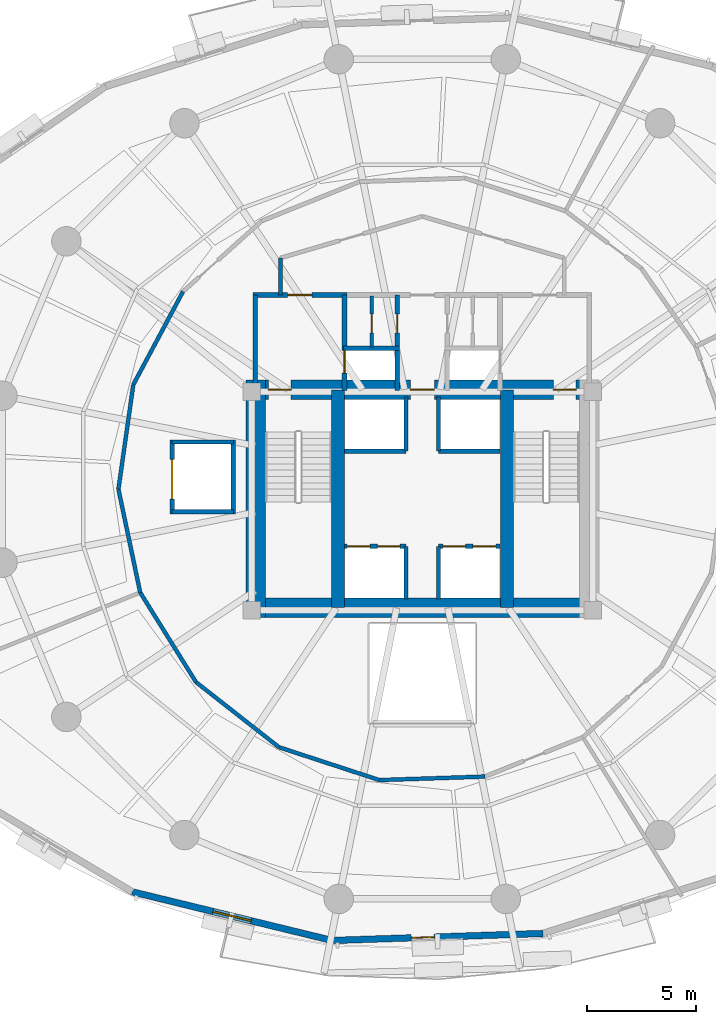
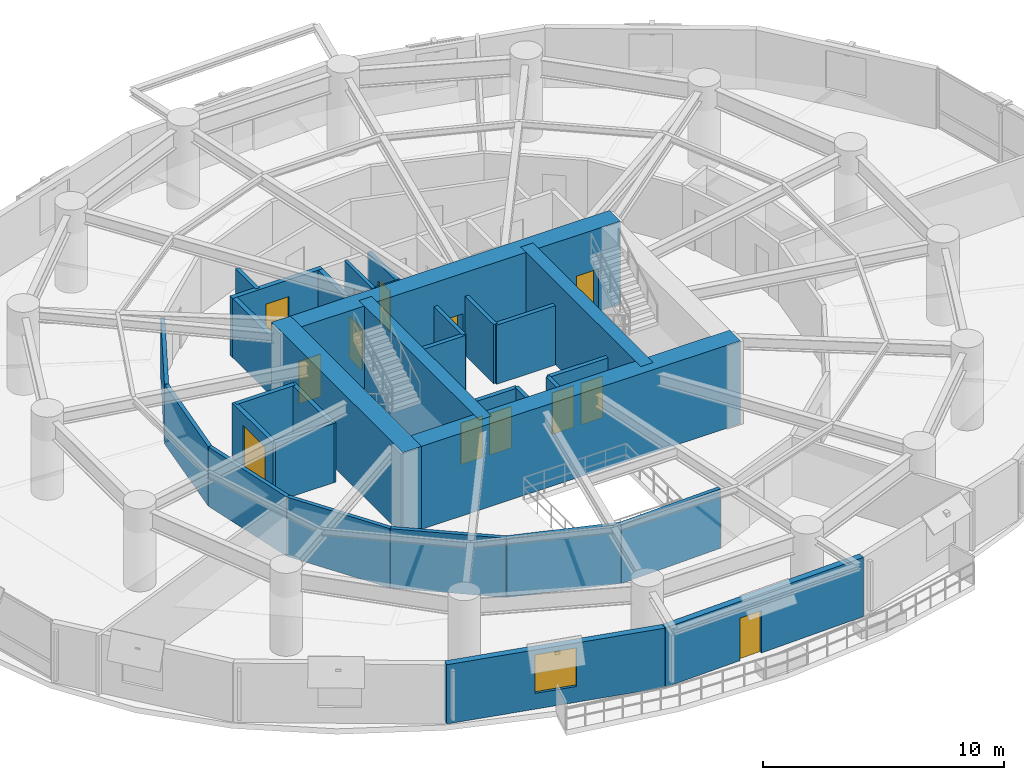
# One storey, part 10 of 15: 33 walls, 13 doors, 1 window, 14 openings.
"""IFC4 building model written with IfcOpenShell, lengths in metres."""

from ifc_helpers import new_model, si_unit, direction, frame, frame_2d, origin, place, context, subcontext, project, spatial, rectangle, extrude, material, layer, layer_set, type_object, element, fill, save


model = new_model("IFC4")

# Units and contexts
model_context = context("Model", 3, precision=1e-05, world=origin(), true_north=direction((0.0, 1.0)))
body_context = subcontext(model_context, "Body", "Model", "MODEL_VIEW")
ifc_project = project(units=[si_unit("LENGTHUNIT", "METRE"), si_unit("AREAUNIT", "SQUARE_METRE"), si_unit("VOLUMEUNIT", "CUBIC_METRE"), si_unit("PLANEANGLEUNIT", "RADIAN"), si_unit("MASSUNIT", "GRAM", prefix="KILO"), si_unit("THERMODYNAMICTEMPERATUREUNIT", "KELVIN"), si_unit("POWERUNIT", "WATT")], contexts=[model_context])

# Site, building, storey
site_placement = place(None, origin())
site = spatial("IfcSite", under=ifc_project, at=site_placement, CompositionType="ELEMENT")
building_placement = place(site_placement, origin())
building = spatial("IfcBuilding", under=site, at=building_placement, Name="Ocrelia Relay Tower", CompositionType="ELEMENT")
storey_placement = place(building_placement, frame((0.0, 0.0, 38.39990234375)))
storey = spatial("IfcBuildingStorey", under=building, at=storey_placement, Name="L08", CompositionType="ELEMENT", Elevation=38.39990234375)

# Wall
ifc_material_1 = material(Name="Concrete C70/85", Category="concrete")
ifc_layer_1 = layer(ifc_material_1, 0.89990234375, Name="Concrete C70/85")
ifc_layer_set_1 = layer_set([ifc_layer_1], Name="Concrete C70/85")
wall_type_1 = type_object("IfcWallType", Name="CW-CORE-900", PredefinedType="SHEAR", material=ifc_layer_set_1)
wall_1_placement = place(storey_placement, frame((25.922119140625, 20.112060546875, 0.0), z_axis=(0.0, 0.0, 1.0), x_axis=(1.0, 0.0, 0.0)))
element("IfcWall", 1, at=wall_1_placement, inside=storey, type_object=wall_type_1, Name="L08 Core Shear Wall S", PredefinedType="SHEAR", context=body_context, shape_type="SweptSolid", body=[
    extrude(rectangle(XDim=16.165771484375, YDim=0.89990234375, at=frame_2d((8.0830078125, 0.0))), origin(), (0.0, 0.0, 1.0), 4.2001953125),
])

# Wall, openings, doors
wall_2_placement = place(storey_placement, frame((25.922119140625, 30.087890625, 0.0), z_axis=(0.0, 0.0, 1.0), x_axis=(1.0, 0.0, 0.0)))
wall_2 = element("IfcWall", 2, at=wall_2_placement, inside=storey, type_object=wall_type_1, Name="L08 Core Shear Wall N", PredefinedType="SHEAR", context=body_context, shape_type="SweptSolid", body=[
    extrude(rectangle(XDim=16.165771484375, YDim=0.89990234375, at=frame_2d((8.0830078125, 0.0))), origin(), (0.0, 0.0, 1.0), 4.2001953125),
])
opening_1_placement = place(wall_2_placement, frame((1.028076171875, 0.0, 0.0)))
opening_1 = element("IfcOpeningElement", 3, at=opening_1_placement, cuts=wall_2, Name="Opening D-FD90", PredefinedType="OPENING", context=body_context, shape_type="SweptSolid", body=[
    extrude(rectangle(XDim=1.050048828125, YDim=2.14990234375, at=frame_2d((0.52490234375, 1.074951171875))), frame((0.0, 0.4599609375, 0.0), z_axis=(0.0, -1.0, 0.0), x_axis=(1.0, 0.0, 0.0)), (0.0, 0.0, 1.0), 0.919921875),
])
opening_2_placement = place(wall_2_placement, frame((14.077880859375, 0.0, 0.0)))
opening_2 = element("IfcOpeningElement", 4, at=opening_2_placement, cuts=wall_2, Name="Opening D-FD90", PredefinedType="OPENING", context=body_context, shape_type="SweptSolid", body=[
    extrude(rectangle(XDim=1.050048828125, YDim=2.14990234375, at=frame_2d((0.52490234375, 1.074951171875))), frame((0.0, 0.4599609375, 0.0), z_axis=(0.0, -1.0, 0.0), x_axis=(1.0, 0.0, 0.0)), (0.0, 0.0, 1.0), 0.919921875),
])
opening_3_placement = place(wall_2_placement, frame((7.528076171875, 0.0, 0.0)))
opening_3 = element("IfcOpeningElement", 5, at=opening_3_placement, cuts=wall_2, Name="Opening D-FD60", PredefinedType="OPENING", context=body_context, shape_type="SweptSolid", body=[
    extrude(rectangle(XDim=1.10009765625, YDim=2.14990234375, at=frame_2d((0.550048828125, 1.074951171875))), frame((0.0, 0.4599609375, 0.0), z_axis=(0.0, -1.0, 0.0), x_axis=(1.0, 0.0, 0.0)), (0.0, 0.0, 1.0), 0.919921875),
])
ifc_material_2 = material(Name="Timber-core 60-min acoustic fire door", Category="wood")
door_type_1 = type_object("IfcDoorType", Name="DR-LOBBY-FD60-1100", OperationType="NOTDEFINED", PredefinedType="DOOR", material=ifc_material_2)
door_1_placement = place(opening_3_placement, origin())
door_1 = element("IfcDoor", 6, at=door_1_placement, inside=storey, type_object=door_type_1, Name="L08 Core Lift Lobby North Fire Door", OperationType="SINGLE_SWING_RIGHT", OverallHeight=2.14990234375, OverallWidth=1.10009765625, PredefinedType="DOOR", context=body_context, shape_type="SweptSolid", body=[
    extrude(rectangle(XDim=1.10009765625, YDim=2.14990234375, at=frame_2d((0.550048828125, 1.074951171875))), frame((0.0, 0.02490234375, 0.0), z_axis=(0.0, -1.0, 0.0), x_axis=(1.0, 0.0, 0.0)), (0.0, 0.0, 1.0), 0.050048828125),
])
fill(opening_3, door_1)
ifc_material_3 = material(Name="Steel S355 90-min fire door", Category="steel")
door_type_2 = type_object("IfcDoorType", Name="DR-STAIR-FD90-1050", OperationType="NOTDEFINED", PredefinedType="DOOR", material=ifc_material_3)
door_2_placement = place(opening_1_placement, origin())
door_2 = element("IfcDoor", 7, at=door_2_placement, inside=storey, type_object=door_type_2, Name="L08 Stair ST1 Fire Door", OperationType="SINGLE_SWING_RIGHT", OverallHeight=2.14990234375, OverallWidth=1.050048828125, PredefinedType="DOOR", context=body_context, shape_type="SweptSolid", body=[
    extrude(rectangle(XDim=1.050048828125, YDim=2.14990234375, at=frame_2d((0.52490234375, 1.074951171875))), frame((0.0, 0.02490234375, 0.0), z_axis=(0.0, -1.0, 0.0), x_axis=(1.0, 0.0, 0.0)), (0.0, 0.0, 1.0), 0.050048828125),
])
fill(opening_1, door_2)
door_3_placement = place(opening_2_placement, origin())
door_3 = element("IfcDoor", 8, at=door_3_placement, inside=storey, type_object=door_type_2, Name="L08 Stair ST2 Fire Door", OperationType="SINGLE_SWING_LEFT", OverallHeight=2.14990234375, OverallWidth=1.050048828125, PredefinedType="DOOR", context=body_context, shape_type="SweptSolid", body=[
    extrude(rectangle(XDim=1.050048828125, YDim=2.14990234375, at=frame_2d((0.52490234375, 1.074951171875))), frame((0.0, 0.02490234375, 0.0), z_axis=(0.0, -1.0, 0.0), x_axis=(1.0, 0.0, 0.0)), (0.0, 0.0, 1.0), 0.050048828125),
])
fill(opening_2, door_3)

# Walls
wall_3_placement = place(storey_placement, frame((26.3720703125, 19.662109375, 0.0), z_axis=(0.0, 0.0, 1.0), x_axis=(0.0, 1.0, 0.0)))
element("IfcWall", 9, at=wall_3_placement, inside=storey, type_object=wall_type_1, Name="L08 Core Shear Wall W", PredefinedType="SHEAR", context=body_context, shape_type="SweptSolid", body=[
    extrude(rectangle(XDim=10.8759765625, YDim=0.89990234375, at=frame_2d((5.43798828125, 0.0))), origin(), (0.0, 0.0, 1.0), 4.2001953125),
])
for number, where, z_axis, x_axis, name in (
    (10, (30.137939453125, 20.112060546875, 0.0), (0.0, 0.0, 1.0), (0.0, 1.0, 0.0), "L08 Core Shear Wall SPW"),
    (11, (37.8720703125, 20.112060546875, 0.0), (0.0, 0.0, 1.0), (0.0, 1.0, 0.0), "L08 Core Shear Wall SPE"),
):
    element("IfcWall", number, at=place(storey_placement, frame(where, z_axis=z_axis, x_axis=x_axis)), inside=storey, type_object=wall_type_1, Name=name, PredefinedType="SHEAR", context=body_context, shape_type="SweptSolid", body=[
        extrude(rectangle(XDim=9.975830078125, YDim=0.60009765625, at=frame_2d((4.98779296875, 0.0))), origin(), (0.0, 0.0, 1.0), 4.2001953125),
    ])
ifc_material_4 = material(Name="Gypsum Fireboard Partition EI60", Category="gypsum")
ifc_layer_2 = layer(ifc_material_4, 0.179931640625, Name="Gypsum Fireboard Partition EI60")
ifc_layer_set_2 = layer_set([ifc_layer_2], Name="Gypsum Fireboard Partition EI60")
wall_type_2 = type_object("IfcWallType", Name="W-CORR-EI60-180", PredefinedType="PARTITIONING", material=ifc_layer_set_2)
wall_4_placement = place(storey_placement, frame((27.5, 34.429931640625, 0.0), z_axis=(0.0, 0.0, 1.0), x_axis=(0.0, 1.0, 0.0)))
element("IfcWall", 12, at=wall_4_placement, inside=storey, type_object=wall_type_2, Name="L08 Smoke Lobby West Return", PredefinedType="PARTITIONING", context=body_context, shape_type="SweptSolid", body=[
    extrude(rectangle(XDim=1.69287109375, YDim=0.179931640625, at=frame_2d((0.846435546875, 0.0))), origin(), (0.0, 0.0, 1.0), 3.0),
])
wall_5_placement = place(storey_placement, frame((23.0458984375, 34.589111328125, 0.0), z_axis=(0.0, 0.0, 1.0), x_axis=(-0.471031159724, -0.882116571984, 0.0)))
element("IfcWall", 13, at=wall_5_placement, inside=storey, type_object=wall_type_2, Name="L08 Colocation Data Hall A Corridor Partition 5", PredefinedType="PARTITIONING", context=body_context, shape_type="SweptSolid", body=[
    extrude(rectangle(XDim=4.834228515625, YDim=0.179931640625, at=frame_2d((2.4169921875, 0.0))), origin(), (0.0, 0.0, 1.0), 3.0),
])
for number, where, z_axis, x_axis, name in (
    (14, (20.768798828125, 30.32470703125, 0.0), (0.0, 0.0, 1.0), (-0.140898144809, -0.990024097075, 0.0), "L08 Colocation Data Hall A Corridor Partition 6"),
    (15, (20.087646484375, 25.53857421875, 0.0), (0.0, 0.0, 1.0), (0.206196273415, -0.978510652384, 0.0), "L08 Colocation Data Hall A Corridor Partition 7"),
    (16, (21.08447265625, 20.80810546875, 0.0), (0.0, 0.0, 1.0), (0.528441031239, -0.848970009189, 0.0), "L08 Hardware Testing Laboratory Corridor Partition 1"),
    (17, (23.63916015625, 16.703857421875, 0.0), (0.0, 0.0, 1.0), (0.786926017004, -0.617047359416, 0.0), "L08 Hardware Testing Laboratory Corridor Partition 2"),
    (18, (27.443603515625, 13.720703125, 0.0), (0.0, 0.0, 1.0), (0.950530313845, -0.310631811734, 0.0), "L08 Hardware Testing Laboratory Corridor Partition 3"),
):
    element("IfcWall", number, at=place(storey_placement, frame(where, z_axis=z_axis, x_axis=x_axis)), inside=storey, type_object=wall_type_2, Name=name, PredefinedType="PARTITIONING", context=body_context, shape_type="SweptSolid", body=[
        extrude(rectangle(XDim=4.83447265625, YDim=0.179931640625, at=frame_2d((2.417236328125, 0.0))), origin(), (0.0, 0.0, 1.0), 3.0),
    ])
wall_6_placement = place(storey_placement, frame((32.038818359375, 12.218994140625, 0.0), z_axis=(0.0, 0.0, 1.0), x_axis=(0.99945105558, 0.033129858133, 0.0)))
element("IfcWall", 19, at=wall_6_placement, inside=storey, type_object=wall_type_2, Name="L08 Hardware Testing Laboratory Corridor Partition 4", PredefinedType="PARTITIONING", context=body_context, shape_type="SweptSolid", body=[
    extrude(rectangle(XDim=4.834228515625, YDim=0.179931640625, at=frame_2d((2.4169921875, 0.0))), origin(), (0.0, 0.0, 1.0), 3.0),
])

# Wall, opening, window
ifc_material_5 = material(Name="Precast concrete C40/50 with oxide terracotta", Category="masonry")
ifc_layer_3 = layer(ifc_material_5, 0.300048828125, Name="Precast concrete C40/50 with oxide terracotta")
ifc_layer_set_3 = layer_set([ifc_layer_3], Name="Precast concrete C40/50 with oxide terracotta")
wall_type_3 = type_object("IfcWallType", Name="W-EXT-TERR-300", PredefinedType="SOLIDWALL", material=ifc_layer_set_3)
wall_7_placement = place(storey_placement, frame((20.71923828125, 7.102783203125, 0.0), z_axis=(0.0, 0.0, 1.0), x_axis=(0.971624307671, -0.236529500787, 0.0)))
wall_7 = element("IfcWall", 20, at=wall_7_placement, inside=storey, type_object=wall_type_3, Name="L08 Oxide Terracotta Facade Wall 13", PredefinedType="SOLIDWALL", context=body_context, shape_type="SweptSolid", body=[
    extrude(rectangle(XDim=9.418701171875, YDim=0.300048828125, at=frame_2d((4.70947265625, 0.0))), origin(), (0.0, 0.0, 1.0), 3.0),
])
opening_4_placement = place(wall_7_placement, frame((3.80908203125, 0.0, 0.800048828125)))
opening_4 = element("IfcOpeningElement", 21, at=opening_4_placement, cuts=wall_7, Name="Opening W-02", PredefinedType="OPENING", context=body_context, shape_type="SweptSolid", body=[
    extrude(rectangle(XDim=1.800048828125, YDim=1.949951171875, at=frame_2d((0.89990234375, 0.97509765625))), frame((0.0, 0.16015625, 0.0), z_axis=(0.0, -1.0, 0.0), x_axis=(1.0, 0.0, 0.0)), (0.0, 0.0, 1.0), 0.320068359375),
])
ifc_material_6 = material(Name="Clear double-glazed low-E glass", Category="glass")
window_type = type_object("IfcWindowType", Name="WIN-Z1-1800x2100", PartitioningType="DOUBLE_PANEL_VERTICAL", PredefinedType="WINDOW", material=ifc_material_6)
window_placement = place(opening_4_placement, origin())
window = element("IfcWindow", 22, at=window_placement, inside=storey, type_object=window_type, Name="L08 Facade Module Window 13", OverallHeight=1.949951171875, OverallWidth=1.800048828125, PartitioningType="SINGLE_PANEL", PredefinedType="WINDOW", context=body_context, shape_type="SweptSolid", body=[
    extrude(rectangle(XDim=1.800048828125, YDim=1.949951171875, at=frame_2d((0.89990234375, 0.97509765625))), frame((0.0, 0.030029296875, 0.0), z_axis=(0.0, -1.0, 0.0), x_axis=(1.0, 0.0, 0.0)), (0.0, 0.0, 1.0), 0.06005859375),
])
fill(opening_4, window)

# Wall, opening, door
wall_8_placement = place(storey_placement, frame((29.87060546875, 4.875, 0.0), z_axis=(0.0, 0.0, 1.0), x_axis=(0.99944952804, 0.033175908432, 0.0)))
wall_8 = element("IfcWall", 23, at=wall_8_placement, inside=storey, type_object=wall_type_3, Name="L08 Oxide Terracotta Facade Wall 14", PredefinedType="SOLIDWALL", context=body_context, shape_type="SweptSolid", body=[
    extrude(rectangle(XDim=9.655029296875, YDim=0.300048828125, at=frame_2d((4.82763671875, 0.0))), origin(), (0.0, 0.0, 1.0), 3.0),
])
opening_5_placement = place(wall_8_placement, frame((3.6298828125, 0.0, 0.0)))
opening_5 = element("IfcOpeningElement", 24, at=opening_5_placement, cuts=wall_8, Name="Opening DB-105", PredefinedType="OPENING", context=body_context, shape_type="SweptSolid", body=[
    extrude(rectangle(XDim=1.050048828125, YDim=2.14990234375, at=frame_2d((0.52490234375, 1.074951171875))), frame((0.0, 0.16015625, 0.0), z_axis=(0.0, -1.0, 0.0), x_axis=(1.0, 0.0, 0.0)), (0.0, 0.0, 1.0), 0.320068359375),
])
ifc_material_7 = material(Name="Thermally broken aluminium and clear glass", Category="aluminium")
door_type_3 = type_object("IfcDoorType", Name="DR-BALC-1050", OperationType="NOTDEFINED", PredefinedType="DOOR", material=ifc_material_7)
door_4_placement = place(opening_5_placement, origin())
door_4 = element("IfcDoor", 25, at=door_4_placement, inside=storey, type_object=door_type_3, Name="L08 Planted Loggia Balcony Door B2", OperationType="SINGLE_SWING_LEFT", OverallHeight=2.14990234375, OverallWidth=1.050048828125, PredefinedType="DOOR", context=body_context, shape_type="SweptSolid", body=[
    extrude(rectangle(XDim=1.050048828125, YDim=2.14990234375, at=frame_2d((0.52490234375, 1.074951171875))), frame((0.0, 0.02490234375, 0.0), z_axis=(0.0, -1.0, 0.0), x_axis=(1.0, 0.0, 0.0)), (0.0, 0.0, 1.0), 0.050048828125),
])
fill(opening_5, door_4)

# Wall
ifc_material_8 = material(Name="Concrete C50/60", Category="concrete")
ifc_layer_4 = layer(ifc_material_8, 0.219970703125, Name="Concrete C50/60")
ifc_layer_set_4 = layer_set([ifc_layer_4], Name="Concrete C50/60")
wall_type_4 = type_object("IfcWallType", Name="W-FFL-EI120-220", PredefinedType="SOLIDWALL", material=ifc_layer_set_4)
wall_9_placement = place(storey_placement, frame((26.35009765625, 30.050048828125, 0.0), z_axis=(0.0, 0.0, 1.0), x_axis=(0.0, 1.0, 0.0)))
element("IfcWall", 26, at=wall_9_placement, inside=storey, type_object=wall_type_4, Name="L08 W Fire Service Lift Lobby West Wall", PredefinedType="SOLIDWALL", context=body_context, shape_type="SweptSolid", body=[
    extrude(rectangle(XDim=4.3798828125, YDim=0.219970703125, at=frame_2d((2.18994140625, 0.0))), origin(), (0.0, 0.0, 1.0), 3.0),
])

# Wall, opening, door
wall_10_placement = place(storey_placement, frame((30.43994140625, 30.050048828125, 0.0), z_axis=(0.0, 0.0, 1.0), x_axis=(0.0, 1.0, 0.0)))
wall_10 = element("IfcWall", 27, at=wall_10_placement, inside=storey, type_object=wall_type_4, Name="L08 W Fire Service Lift Lobby East Wall", PredefinedType="SOLIDWALL", context=body_context, shape_type="SweptSolid", body=[
    extrude(rectangle(XDim=4.3798828125, YDim=0.219970703125, at=frame_2d((2.18994140625, 0.0))), origin(), (0.0, 0.0, 1.0), 3.0),
])
opening_6_placement = place(wall_10_placement, frame((0.800048828125, 0.0, 0.0)))
opening_6 = element("IfcOpeningElement", 28, at=opening_6_placement, cuts=wall_10, Name="Opening LD-FFL1", PredefinedType="OPENING", context=body_context, shape_type="SweptSolid", body=[
    extrude(rectangle(XDim=1.050048828125, YDim=2.10009765625, at=frame_2d((0.52490234375, 1.050048828125))), frame((0.0, 0.1201171875, 0.0), z_axis=(0.0, -1.0, 0.0), x_axis=(1.0, 0.0, 0.0)), (0.0, 0.0, 1.0), 0.239990234375),
])
ifc_material_9 = material(Name="Brushed stainless steel S355 lift landing door", Category="steel")
door_type_4 = type_object("IfcDoorType", Name="DR-LIFT-LAND-1050", OperationType="DOUBLE_DOOR_SLIDING", PredefinedType="USERDEFINED", material=ifc_material_9)
door_5_placement = place(opening_6_placement, origin())
door_5 = element("IfcDoor", 29, at=door_5_placement, inside=storey, type_object=door_type_4, Name="L08 Firefighting Lift FFL1 Sliding Landing Door", ObjectType="LANDING DOOR", OperationType="DOUBLE_DOOR_SLIDING", OverallHeight=2.10009765625, OverallWidth=1.050048828125, PredefinedType="USERDEFINED", context=body_context, shape_type="SweptSolid", body=[
    extrude(rectangle(XDim=1.050048828125, YDim=2.10009765625, at=frame_2d((0.52490234375, 1.050048828125))), frame((0.0, 0.02490234375, 0.0), z_axis=(0.0, -1.0, 0.0), x_axis=(1.0, 0.0, 0.0)), (0.0, 0.0, 1.0), 0.050048828125),
])
fill(opening_6, door_5)

wall_11_placement = place(storey_placement, frame((26.239990234375, 34.429931640625, 0.0), z_axis=(0.0, 0.0, 1.0), x_axis=(1.0, 0.0, 0.0)))
wall_11 = element("IfcWall", 30, at=wall_11_placement, inside=storey, type_object=wall_type_4, Name="L08 W Fire Service Lift Lobby North Wall", PredefinedType="SOLIDWALL", context=body_context, shape_type="SweptSolid", body=[
    extrude(rectangle(XDim=4.31005859375, YDim=0.219970703125, at=frame_2d((2.155029296875, 0.0))), origin(), (0.0, 0.0, 1.0), 3.0),
])
opening_7_placement = place(wall_11_placement, frame((1.60009765625, 0.0, 0.0)))
opening_7 = element("IfcOpeningElement", 31, at=opening_7_placement, cuts=wall_11, Name="Opening D-FD60", PredefinedType="OPENING", context=body_context, shape_type="SweptSolid", body=[
    extrude(rectangle(XDim=1.10009765625, YDim=2.14990234375, at=frame_2d((0.550048828125, 1.074951171875))), frame((0.0, 0.1201171875, 0.0), z_axis=(0.0, -1.0, 0.0), x_axis=(1.0, 0.0, 0.0)), (0.0, 0.0, 1.0), 0.239990234375),
])
door_6_placement = place(opening_7_placement, origin())
door_6 = element("IfcDoor", 32, at=door_6_placement, inside=storey, type_object=door_type_1, Name="L08 W Fire Service Lift Lobby Exit Door", OperationType="SINGLE_SWING_LEFT", OverallHeight=2.14990234375, OverallWidth=1.10009765625, PredefinedType="DOOR", context=body_context, shape_type="SweptSolid", body=[
    extrude(rectangle(XDim=1.10009765625, YDim=2.14990234375, at=frame_2d((0.550048828125, 1.074951171875))), frame((0.0, 0.02490234375, 0.0), z_axis=(0.0, -1.0, 0.0), x_axis=(1.0, 0.0, 0.0)), (0.0, 0.0, 1.0), 0.050048828125),
])
fill(opening_7, door_6)

ifc_material_10 = material(Name="Acoustic Fireboard Partition EI60", Category="gypsum")
ifc_layer_5 = layer(ifc_material_10, 0.14990234375, Name="Acoustic Fireboard Partition EI60")
ifc_layer_set_5 = layer_set([ifc_layer_5], Name="Acoustic Fireboard Partition EI60")
wall_type_5 = type_object("IfcWallType", Name="W-PART-150", PredefinedType="PARTITIONING", material=ifc_layer_set_5)
wall_12_placement = place(storey_placement, frame((31.68994140625, 32.050048828125, 0.0), z_axis=(0.0, 0.0, 1.0), x_axis=(0.0, 1.0, 0.0)))
wall_12 = element("IfcWall", 33, at=wall_12_placement, inside=storey, type_object=wall_type_5, Name="L08 West Core Support Partition", PredefinedType="PARTITIONING", context=body_context, shape_type="SweptSolid", body=[
    extrude(rectangle(XDim=2.329833984375, YDim=0.14990234375, at=frame_2d((1.1650390625, 0.0))), origin(), (0.0, 0.0, 1.0), 3.0),
])
opening_8_placement = place(wall_12_placement, frame((0.64990234375, 0.0, 0.0)))
opening_8 = element("IfcOpeningElement", 34, at=opening_8_placement, cuts=wall_12, Name="Opening D-RS86", PredefinedType="OPENING", context=body_context, shape_type="SweptSolid", body=[
    extrude(rectangle(XDim=0.860107421875, YDim=2.050048828125, at=frame_2d((0.43017578125, 1.02490234375))), frame((0.0, 0.0849609375, 0.0), z_axis=(0.0, -1.0, 0.0), x_axis=(1.0, 0.0, 0.0)), (0.0, 0.0, 1.0), 0.169921875),
])
ifc_material_11 = material(Name="Steel S355 riser access fire door", Category="steel")
door_type_5 = type_object("IfcDoorType", Name="DR-RISER-TRAP-860", OperationType="NOTDEFINED", PredefinedType="TRAPDOOR", material=ifc_material_11)
door_7_placement = place(opening_8_placement, origin())
door_7 = element("IfcDoor", 35, at=door_7_placement, inside=storey, type_object=door_type_5, Name="L08 West Core Store Connecting Door", OperationType="SINGLE_SWING_RIGHT", OverallHeight=2.050048828125, OverallWidth=0.860107421875, PredefinedType="TRAPDOOR", context=body_context, shape_type="SweptSolid", body=[
    extrude(rectangle(XDim=0.860107421875, YDim=2.050048828125, at=frame_2d((0.43017578125, 1.02490234375))), frame((0.0, 0.02490234375, 0.0), z_axis=(0.0, -1.0, 0.0), x_axis=(1.0, 0.0, 0.0)), (0.0, 0.0, 1.0), 0.050048828125),
])
fill(opening_8, door_7)

# Wall
ifc_layer_6 = layer(ifc_material_8, 0.199951171875, Name="Concrete C50/60")
ifc_layer_set_6 = layer_set([ifc_layer_6], Name="Concrete C50/60")
wall_type_6 = type_object("IfcWallType", Name="W-SHAFT-EI120-200", PredefinedType="SOLIDWALL", material=ifc_layer_set_6)
wall_13_placement = place(storey_placement, frame((30.39990234375, 32.0, 0.0), z_axis=(0.0, 0.0, 1.0), x_axis=(1.0, 0.0, 0.0)))
element("IfcWall", 36, at=wall_13_placement, inside=storey, type_object=wall_type_6, Name="L08 FFL1 Hoistway North Wall", PredefinedType="SOLIDWALL", context=body_context, shape_type="SweptSolid", body=[
    extrude(rectangle(XDim=2.550048828125, YDim=0.199951171875, at=frame_2d((1.27490234375, 0.0))), origin(), (0.0, 0.0, 1.0), 3.0),
])

# Wall, opening, door
wall_14_placement = place(storey_placement, frame((32.85009765625, 30.050048828125, 0.0), z_axis=(0.0, 0.0, 1.0), x_axis=(0.0, 1.0, 0.0)))
wall_14 = element("IfcWall", 37, at=wall_14_placement, inside=storey, type_object=wall_type_6, Name="L08 FFL1 and Service Vestibule Wall", PredefinedType="SOLIDWALL", context=body_context, shape_type="SweptSolid", body=[
    extrude(rectangle(XDim=4.3798828125, YDim=0.199951171875, at=frame_2d((2.18994140625, 0.0))), origin(), (0.0, 0.0, 1.0), 3.0),
])
opening_9_placement = place(wall_14_placement, frame((2.64990234375, 0.0, 0.0)))
opening_9 = element("IfcOpeningElement", 38, at=opening_9_placement, cuts=wall_14, Name="Opening D-RS86", PredefinedType="OPENING", context=body_context, shape_type="SweptSolid", body=[
    extrude(rectangle(XDim=0.860107421875, YDim=2.050048828125, at=frame_2d((0.43017578125, 1.02490234375))), frame((0.0, 0.10986328125, 0.0), z_axis=(0.0, -1.0, 0.0), x_axis=(1.0, 0.0, 0.0)), (0.0, 0.0, 1.0), 0.219970703125),
])
door_8_placement = place(opening_9_placement, origin())
door_8 = element("IfcDoor", 39, at=door_8_placement, inside=storey, type_object=door_type_5, Name="L08 Core Support Room W Door", OperationType="SINGLE_SWING_RIGHT", OverallHeight=2.050048828125, OverallWidth=0.860107421875, PredefinedType="TRAPDOOR", context=body_context, shape_type="SweptSolid", body=[
    extrude(rectangle(XDim=0.860107421875, YDim=2.050048828125, at=frame_2d((0.43017578125, 1.02490234375))), frame((0.0, 0.02490234375, 0.0), z_axis=(0.0, -1.0, 0.0), x_axis=(1.0, 0.0, 0.0)), (0.0, 0.0, 1.0), 0.050048828125),
])
fill(opening_9, door_8)

# Wall, openings, doors
wall_15_placement = place(storey_placement, frame((30.43994140625, 22.919921875, 0.0), z_axis=(0.0, 0.0, 1.0), x_axis=(1.0, 0.0, 0.0)))
wall_15 = element("IfcWall", 40, at=wall_15_placement, inside=storey, type_object=wall_type_6, Name="L08 Low-Rise Lift Hoistway Wall W", PredefinedType="SOLIDWALL", context=body_context, shape_type="SweptSolid", body=[
    extrude(rectangle(XDim=2.81005859375, YDim=0.199951171875, at=frame_2d((1.405029296875, 0.0))), origin(), (0.0, 0.0, 1.0), 3.0),
])
opening_10_placement = place(wall_15_placement, frame((0.1201171875, 0.0, 0.0)))
opening_10 = element("IfcOpeningElement", 41, at=opening_10_placement, cuts=wall_15, Name="Opening LD-PL1", PredefinedType="OPENING", context=body_context, shape_type="SweptSolid", body=[
    extrude(rectangle(XDim=1.050048828125, YDim=2.10009765625, at=frame_2d((0.52490234375, 1.050048828125))), frame((0.0, 0.10986328125, 0.0), z_axis=(0.0, -1.0, 0.0), x_axis=(1.0, 0.0, 0.0)), (0.0, 0.0, 1.0), 0.219970703125),
])
opening_11_placement = place(wall_15_placement, frame((1.5, 0.0, 0.0)))
opening_11 = element("IfcOpeningElement", 42, at=opening_11_placement, cuts=wall_15, Name="Opening LD-PL2", PredefinedType="OPENING", context=body_context, shape_type="SweptSolid", body=[
    extrude(rectangle(XDim=1.050048828125, YDim=2.10009765625, at=frame_2d((0.52490234375, 1.050048828125))), frame((0.0, 0.10986328125, 0.0), z_axis=(0.0, -1.0, 0.0), x_axis=(1.0, 0.0, 0.0)), (0.0, 0.0, 1.0), 0.219970703125),
])
door_9_placement = place(opening_10_placement, origin())
door_9 = element("IfcDoor", 43, at=door_9_placement, inside=storey, type_object=door_type_4, Name="L08 Passenger Lift PL1 Sliding Landing Door", ObjectType="LANDING DOOR", OperationType="DOUBLE_DOOR_SLIDING", OverallHeight=2.10009765625, OverallWidth=1.050048828125, PredefinedType="USERDEFINED", context=body_context, shape_type="SweptSolid", body=[
    extrude(rectangle(XDim=1.050048828125, YDim=2.10009765625, at=frame_2d((0.52490234375, 1.050048828125))), frame((0.0, 0.02490234375, 0.0), z_axis=(0.0, -1.0, 0.0), x_axis=(1.0, 0.0, 0.0)), (0.0, 0.0, 1.0), 0.050048828125),
])
fill(opening_10, door_9)
door_10_placement = place(opening_11_placement, origin())
door_10 = element("IfcDoor", 44, at=door_10_placement, inside=storey, type_object=door_type_4, Name="L08 Passenger Lift PL2 Sliding Landing Door", ObjectType="LANDING DOOR", OperationType="DOUBLE_DOOR_SLIDING", OverallHeight=2.10009765625, OverallWidth=1.050048828125, PredefinedType="USERDEFINED", context=body_context, shape_type="SweptSolid", body=[
    extrude(rectangle(XDim=1.050048828125, YDim=2.10009765625, at=frame_2d((0.52490234375, 1.050048828125))), frame((0.0, 0.02490234375, 0.0), z_axis=(0.0, -1.0, 0.0), x_axis=(1.0, 0.0, 0.0)), (0.0, 0.0, 1.0), 0.050048828125),
])
fill(opening_11, door_10)

# Wall
wall_16_placement = place(storey_placement, frame((33.25, 20.5, 0.0), z_axis=(0.0, 0.0, 1.0), x_axis=(0.0, 1.0, 0.0)))
element("IfcWall", 45, at=wall_16_placement, inside=storey, type_object=wall_type_6, Name="L08 Low-Rise Lift Throat Wall W", PredefinedType="SOLIDWALL", context=body_context, shape_type="SweptSolid", body=[
    extrude(rectangle(XDim=2.419921875, YDim=0.179931640625, at=frame_2d((1.2099609375, 0.0))), origin(), (0.0, 0.0, 1.0), 3.0),
])

# Wall, openings, doors
wall_17_placement = place(storey_placement, frame((34.75, 22.919921875, 0.0), z_axis=(0.0, 0.0, 1.0), x_axis=(1.0, 0.0, 0.0)))
wall_17 = element("IfcWall", 46, at=wall_17_placement, inside=storey, type_object=wall_type_6, Name="L08 Low-Rise Lift Hoistway Wall E", PredefinedType="SOLIDWALL", context=body_context, shape_type="SweptSolid", body=[
    extrude(rectangle(XDim=2.81005859375, YDim=0.199951171875, at=frame_2d((1.405029296875, 0.0))), origin(), (0.0, 0.0, 1.0), 3.0),
])
opening_12_placement = place(wall_17_placement, frame((0.18994140625, 0.0, 0.0)))
opening_12 = element("IfcOpeningElement", 47, at=opening_12_placement, cuts=wall_17, Name="Opening LD-PL3", PredefinedType="OPENING", context=body_context, shape_type="SweptSolid", body=[
    extrude(rectangle(XDim=1.050048828125, YDim=2.10009765625, at=frame_2d((0.52490234375, 1.050048828125))), frame((0.0, 0.10986328125, 0.0), z_axis=(0.0, -1.0, 0.0), x_axis=(1.0, 0.0, 0.0)), (0.0, 0.0, 1.0), 0.219970703125),
])
opening_13_placement = place(wall_17_placement, frame((1.570068359375, 0.0, 0.0)))
opening_13 = element("IfcOpeningElement", 48, at=opening_13_placement, cuts=wall_17, Name="Opening LD-PL4", PredefinedType="OPENING", context=body_context, shape_type="SweptSolid", body=[
    extrude(rectangle(XDim=1.050048828125, YDim=2.10009765625, at=frame_2d((0.52490234375, 1.050048828125))), frame((0.0, 0.10986328125, 0.0), z_axis=(0.0, -1.0, 0.0), x_axis=(1.0, 0.0, 0.0)), (0.0, 0.0, 1.0), 0.219970703125),
])
door_11_placement = place(opening_12_placement, origin())
door_11 = element("IfcDoor", 49, at=door_11_placement, inside=storey, type_object=door_type_4, Name="L08 Passenger Lift PL3 Sliding Landing Door", ObjectType="LANDING DOOR", OperationType="DOUBLE_DOOR_SLIDING", OverallHeight=2.10009765625, OverallWidth=1.050048828125, PredefinedType="USERDEFINED", context=body_context, shape_type="SweptSolid", body=[
    extrude(rectangle(XDim=1.050048828125, YDim=2.10009765625, at=frame_2d((0.52490234375, 1.050048828125))), frame((0.0, 0.02490234375, 0.0), z_axis=(0.0, -1.0, 0.0), x_axis=(1.0, 0.0, 0.0)), (0.0, 0.0, 1.0), 0.050048828125),
])
fill(opening_12, door_11)
door_12_placement = place(opening_13_placement, origin())
door_12 = element("IfcDoor", 50, at=door_12_placement, inside=storey, type_object=door_type_4, Name="L08 Passenger Lift PL4 Sliding Landing Door", ObjectType="LANDING DOOR", OperationType="DOUBLE_DOOR_SLIDING", OverallHeight=2.10009765625, OverallWidth=1.050048828125, PredefinedType="USERDEFINED", context=body_context, shape_type="SweptSolid", body=[
    extrude(rectangle(XDim=1.050048828125, YDim=2.10009765625, at=frame_2d((0.52490234375, 1.050048828125))), frame((0.0, 0.02490234375, 0.0), z_axis=(0.0, -1.0, 0.0), x_axis=(1.0, 0.0, 0.0)), (0.0, 0.0, 1.0), 0.050048828125),
])
fill(opening_13, door_12)

# Walls
wall_18_placement = place(storey_placement, frame((34.75, 20.5, 0.0), z_axis=(0.0, 0.0, 1.0), x_axis=(0.0, 1.0, 0.0)))
element("IfcWall", 51, at=wall_18_placement, inside=storey, type_object=wall_type_6, Name="L08 Low-Rise Lift Throat Wall E", PredefinedType="SOLIDWALL", context=body_context, shape_type="SweptSolid", body=[
    extrude(rectangle(XDim=2.419921875, YDim=0.179931640625, at=frame_2d((1.2099609375, 0.0))), origin(), (0.0, 0.0, 1.0), 3.0),
])
wall_19_placement = place(storey_placement, frame((30.43994140625, 27.280029296875, 0.0), z_axis=(0.0, 0.0, 1.0), x_axis=(1.0, 0.0, 0.0)))
element("IfcWall", 52, at=wall_19_placement, inside=storey, type_object=wall_type_6, Name="L08 High-Rise Lift Hoistway Wall W", PredefinedType="SOLIDWALL", context=body_context, shape_type="SweptSolid", body=[
    extrude(rectangle(XDim=2.81005859375, YDim=0.199951171875, at=frame_2d((1.405029296875, 0.0))), origin(), (0.0, 0.0, 1.0), 3.0),
])
wall_20_placement = place(storey_placement, frame((33.25, 27.280029296875, 0.0), z_axis=(0.0, 0.0, 1.0), x_axis=(0.0, 1.0, 0.0)))
element("IfcWall", 53, at=wall_20_placement, inside=storey, type_object=wall_type_6, Name="L08 High-Rise Lift Throat Wall W", PredefinedType="SOLIDWALL", context=body_context, shape_type="SweptSolid", body=[
    extrude(rectangle(XDim=2.469970703125, YDim=0.179931640625, at=frame_2d((1.23486328125, 0.0))), origin(), (0.0, 0.0, 1.0), 3.0),
])
wall_21_placement = place(storey_placement, frame((34.75, 27.280029296875, 0.0), z_axis=(0.0, 0.0, 1.0), x_axis=(1.0, 0.0, 0.0)))
element("IfcWall", 54, at=wall_21_placement, inside=storey, type_object=wall_type_6, Name="L08 High-Rise Lift Hoistway Wall E", PredefinedType="SOLIDWALL", context=body_context, shape_type="SweptSolid", body=[
    extrude(rectangle(XDim=2.81005859375, YDim=0.199951171875, at=frame_2d((1.405029296875, 0.0))), origin(), (0.0, 0.0, 1.0), 3.0),
])
wall_22_placement = place(storey_placement, frame((34.75, 27.280029296875, 0.0), z_axis=(0.0, 0.0, 1.0), x_axis=(0.0, 1.0, 0.0)))
element("IfcWall", 55, at=wall_22_placement, inside=storey, type_object=wall_type_6, Name="L08 High-Rise Lift Throat Wall E", PredefinedType="SOLIDWALL", context=body_context, shape_type="SweptSolid", body=[
    extrude(rectangle(XDim=2.469970703125, YDim=0.179931640625, at=frame_2d((1.23486328125, 0.0))), origin(), (0.0, 0.0, 1.0), 3.0),
])

# Wall, opening, door
wall_23_placement = place(storey_placement, frame((22.550048828125, 24.39990234375, 0.0), z_axis=(0.0, 0.0, 1.0), x_axis=(0.0, 1.0, 0.0)))
wall_23 = element("IfcWall", 56, at=wall_23_placement, inside=storey, type_object=wall_type_6, Name="L08 Goods Lift Shaft West Wall", PredefinedType="SOLIDWALL", context=body_context, shape_type="SweptSolid", body=[
    extrude(rectangle(XDim=3.400146484375, YDim=0.199951171875, at=frame_2d((1.7001953125, 0.0))), origin(), (0.0, 0.0, 1.0), 3.0),
])
opening_14_placement = place(wall_23_placement, frame((0.699951171875, 0.0, 0.0)))
opening_14 = element("IfcOpeningElement", 57, at=opening_14_placement, cuts=wall_23, Name="Opening LD-GL1", PredefinedType="OPENING", context=body_context, shape_type="SweptSolid", body=[
    extrude(rectangle(XDim=1.800048828125, YDim=2.39990234375, at=frame_2d((0.89990234375, 1.199951171875))), frame((0.0, 0.10986328125, 0.0), z_axis=(0.0, -1.0, 0.0), x_axis=(1.0, 0.0, 0.0)), (0.0, 0.0, 1.0), 0.219970703125),
])
ifc_material_12 = material(Name="Heavy-duty stainless steel S355 goods landing door", Category="steel")
door_type_6 = type_object("IfcDoorType", Name="DR-GOODS-LAND-1800", OperationType="DOUBLE_DOOR_SLIDING", PredefinedType="USERDEFINED", material=ifc_material_12)
door_13_placement = place(opening_14_placement, origin())
door_13 = element("IfcDoor", 58, at=door_13_placement, inside=storey, type_object=door_type_6, Name="L08 Goods Lift GL1 Sliding Landing Door", ObjectType="LANDING DOOR", OperationType="DOUBLE_DOOR_SLIDING", OverallHeight=2.39990234375, OverallWidth=1.800048828125, PredefinedType="USERDEFINED", context=body_context, shape_type="SweptSolid", body=[
    extrude(rectangle(XDim=1.800048828125, YDim=2.39990234375, at=frame_2d((0.89990234375, 1.199951171875))), frame((0.0, 0.02490234375, 0.0), z_axis=(0.0, -1.0, 0.0), x_axis=(1.0, 0.0, 0.0)), (0.0, 0.0, 1.0), 0.050048828125),
])
fill(opening_14, door_13)

# Walls
wall_24_placement = place(storey_placement, frame((25.35009765625, 24.39990234375, 0.0), z_axis=(0.0, 0.0, 1.0), x_axis=(0.0, 1.0, 0.0)))
element("IfcWall", 59, at=wall_24_placement, inside=storey, type_object=wall_type_6, Name="L08 Goods Lift Shaft E Wall", PredefinedType="SOLIDWALL", context=body_context, shape_type="SweptSolid", body=[
    extrude(rectangle(XDim=3.400146484375, YDim=0.199951171875, at=frame_2d((1.7001953125, 0.0))), origin(), (0.0, 0.0, 1.0), 3.0),
])
for number, where, z_axis, x_axis, name in (
    (60, (22.550048828125, 24.5, 0.0), (0.0, 0.0, 1.0), (1.0, 0.0, 0.0), "L08 Goods Lift Shaft S Wall"),
    (61, (22.550048828125, 27.699951171875, 0.0), (0.0, 0.0, 1.0), (1.0, 0.0, 0.0), "L08 Goods Lift Shaft N Wall"),
):
    element("IfcWall", number, at=place(storey_placement, frame(where, z_axis=z_axis, x_axis=x_axis)), inside=storey, type_object=wall_type_6, Name=name, PredefinedType="SOLIDWALL", context=body_context, shape_type="SweptSolid", body=[
        extrude(rectangle(XDim=2.800048828125, YDim=0.199951171875, at=frame_2d((1.39990234375, 0.0))), origin(), (0.0, 0.0, 1.0), 3.0),
    ])

save(model, "model.ifc")
